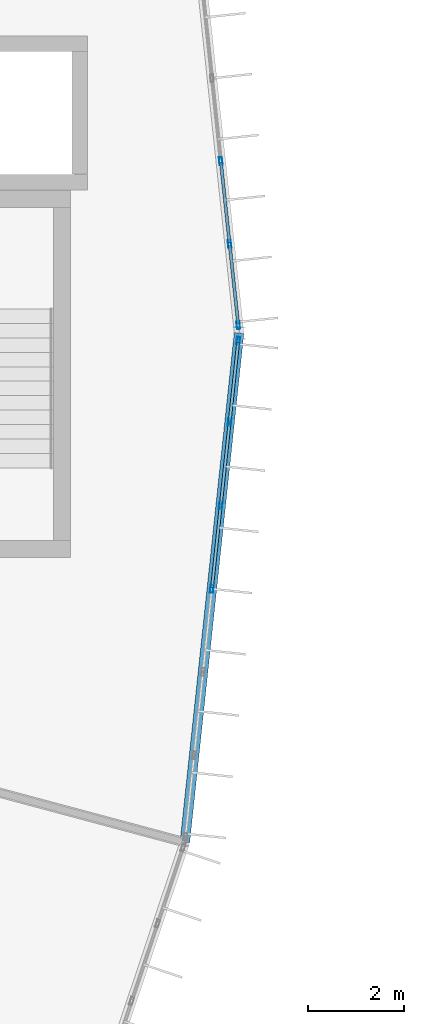
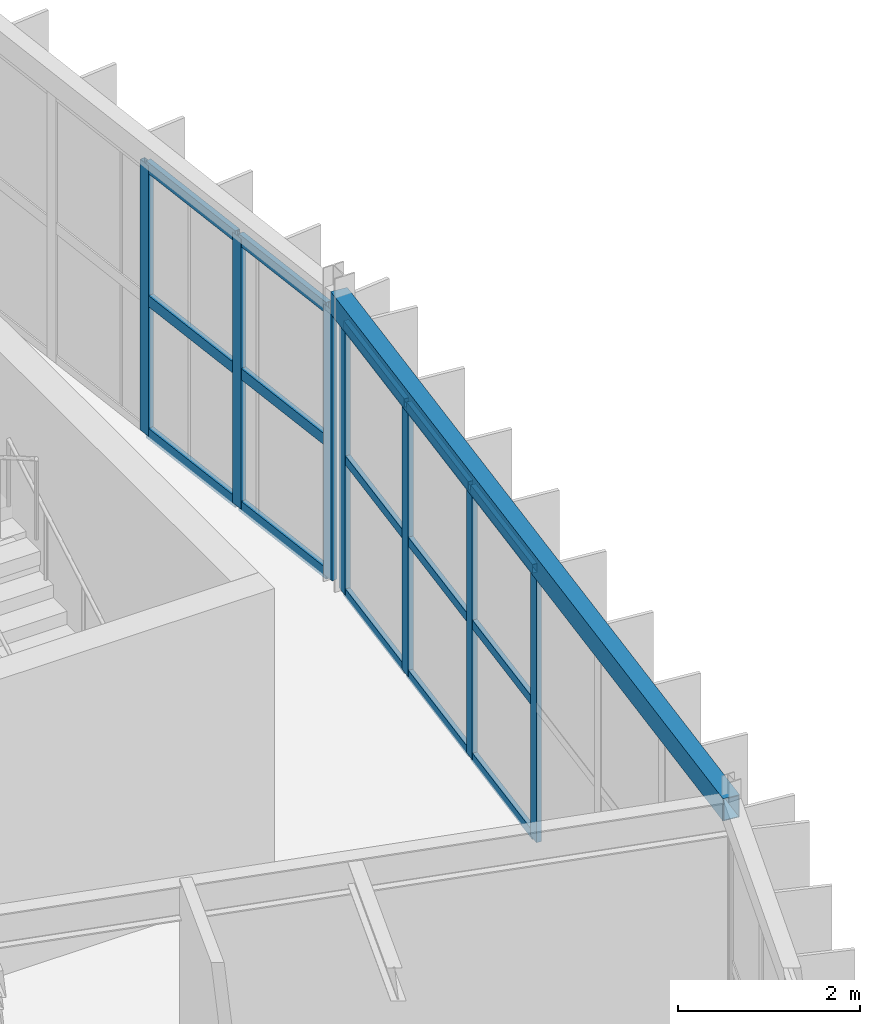
# One storey, part 75 of 157: 22 members, 1 beam, 2 elements without a shape of their own.
"""IFC4 building model written with IfcOpenShell, lengths in metres."""

from ifc_helpers import new_model, si_unit, direction, frame, origin, origin_2d, place, context, subcontext, project, spatial, hollow_rectangle, extrude, material, material_profile, profile_set, type_object, element, aggregate, save


model = new_model("IFC4")

# Units and contexts
model_context = context("Model", 3, precision=1e-05, world=origin(), true_north=direction((0.0, 1.0)))
body_context = subcontext(model_context, "Body", "Model", "MODEL_VIEW")
ifc_project = project(units=[si_unit("LENGTHUNIT", "METRE"), si_unit("AREAUNIT", "SQUARE_METRE"), si_unit("VOLUMEUNIT", "CUBIC_METRE"), si_unit("PLANEANGLEUNIT", "RADIAN"), si_unit("MASSUNIT", "GRAM", prefix="KILO")], contexts=[model_context])

# Site, building, storey
site_placement = place(None, origin())
site = spatial("IfcSite", under=ifc_project, at=site_placement, CompositionType="ELEMENT")
building_placement = place(site_placement, origin())
building = spatial("IfcBuilding", under=site, at=building_placement, Name="Karori Crest Natural Sciences Institute", CompositionType="ELEMENT")
storey_placement = place(building_placement, frame((0.0, 0.0, 13.300048828125)))
storey = spatial("IfcBuildingStorey", under=building, at=storey_placement, Name="L03", CompositionType="ELEMENT", Elevation=13.300048828125)

# Beam
ifc_material_1 = material(Name="Hollow structural steel AS/NZS 1163 Grade C350", Category="steel")
ifc_material_profile_1 = material_profile(ifc_material_1, hollow_rectangle(XDim=0.199951171875, YDim=0.300048828125, WallThickness=0.010009765625, at=origin_2d()), Name="RHS300x200x10")
ifc_profile_set_1 = profile_set([ifc_material_profile_1], Name="Hollow structural steel AS/NZS 1163 Grade C350")
beam_type = type_object("IfcBeamType", Name="BT-15", PredefinedType="SPANDREL", material=ifc_profile_set_1)
beam_placement = place(storey_placement, frame((98.275634765625, 39.340087890625, 3.7900390625), z_axis=(0.105868278464, 0.994380162521, 0.0), x_axis=(-0.994380162521, 0.105868278464, 0.0)))
element("IfcBeam", 1, at=beam_placement, inside=storey, type_object=beam_type, Name="Beam B-0448", PredefinedType="SPANDREL", context=body_context, shape_type="SweptSolid", body=[
    extrude(hollow_rectangle(XDim=0.199951171875, YDim=0.300048828125, WallThickness=0.010009765625, at=origin_2d()), origin(), (0.0, 0.0, 1.0), 10.619384765625),
])

# Curtain wall, members
ifc_material_2 = material(Name="Anodised architectural aluminium 6063-T6", Category="aluminium")
curtain_wall_type_1 = type_object("IfcCurtainWallType", Name="CWT-01", PredefinedType="NOTDEFINED", material=ifc_material_2)
curtain_wall_1_placement = place(storey_placement, origin())
curtain_wall_1 = element("IfcCurtainWall", 2, at=curtain_wall_1_placement, inside=storey, type_object=curtain_wall_type_1, Name="Curtain wall CW-0100", PredefinedType="NOTDEFINED")
ifc_material_profile_2 = material_profile(ifc_material_2, hollow_rectangle(XDim=0.06494140625, YDim=0.159912109375, WallThickness=0.00390625, at=origin_2d()), Name="CWM160x65x4")
ifc_profile_set_2 = profile_set([ifc_material_profile_2], Name="Anodised architectural aluminium 6063-T6")
member_type_1 = type_object("IfcMemberType", Name="CWM-01", PredefinedType="MULLION", material=ifc_profile_set_2)
member_1_placement = place(storey_placement, frame((99.0205078125, 53.463623046875, 0.0), z_axis=(0.0, 0.0, 1.0), x_axis=(0.994378435661, 0.105884496939, 0.0)))
member_1 = element("IfcMember", 3, at=member_1_placement, type_object=member_type_1, Name="CW-0100 mullion 5", PredefinedType="MULLION", context=body_context, shape_type="SweptSolid", body=[
    extrude(hollow_rectangle(XDim=0.06494140625, YDim=0.159912109375, WallThickness=0.00390625, at=origin_2d()), origin(), (0.0, 0.0, 1.0), 3.625),
])
member_2_placement = place(storey_placement, frame((99.203369140625, 51.745849609375, 0.0), z_axis=(0.0, 0.0, 1.0), x_axis=(0.994378435661, 0.105884496939, 0.0)))
member_2 = element("IfcMember", 4, at=member_2_placement, type_object=member_type_1, Name="CW-0100 mullion 6", PredefinedType="MULLION", context=body_context, shape_type="SweptSolid", body=[
    extrude(hollow_rectangle(XDim=0.06494140625, YDim=0.159912109375, WallThickness=0.00390625, at=origin_2d()), origin(), (0.0, 0.0, 1.0), 3.625),
])
member_3_placement = place(storey_placement, frame((99.383056640625, 50.060302734375, 0.0), z_axis=(0.0, 0.0, 1.0), x_axis=(0.994378435661, 0.105884496939, 0.0)))
member_3 = element("IfcMember", 5, at=member_3_placement, type_object=member_type_1, Name="CW-0100 mullion 7", PredefinedType="MULLION", context=body_context, shape_type="SweptSolid", body=[
    extrude(hollow_rectangle(XDim=0.06494140625, YDim=0.159912109375, WallThickness=0.00390625, at=origin_2d()), origin(), (0.0, 0.0, 1.0), 3.625),
])

curtain_wall_type_2 = type_object("IfcCurtainWallType", Name="CWT-04", PredefinedType="NOTDEFINED", material=ifc_material_2)
curtain_wall_2_placement = place(storey_placement, origin())
curtain_wall_2 = element("IfcCurtainWall", 6, at=curtain_wall_2_placement, inside=storey, type_object=curtain_wall_type_2, Name="Curtain wall CW-0135", PredefinedType="NOTDEFINED")
member_4_placement = place(storey_placement, frame((99.383056640625, 49.73974609375, 0.0), z_axis=(0.0, 0.0, 1.0), x_axis=(0.994378309998, -0.105885677057, 0.0)))
member_4 = element("IfcMember", 7, at=member_4_placement, type_object=member_type_1, Name="CW-0135 mullion 1", PredefinedType="MULLION", context=body_context, shape_type="SweptSolid", body=[
    extrude(hollow_rectangle(XDim=0.06494140625, YDim=0.159912109375, WallThickness=0.00390625, at=origin_2d()), origin(), (0.0, 0.0, 1.0), 3.625),
])
member_5_placement = place(storey_placement, frame((99.20263671875, 48.046630859375, 0.0), z_axis=(0.0, 0.0, 1.0), x_axis=(0.994378309998, -0.105885677057, 0.0)))
member_5 = element("IfcMember", 8, at=member_5_placement, type_object=member_type_1, Name="CW-0135 mullion 2", PredefinedType="MULLION", context=body_context, shape_type="SweptSolid", body=[
    extrude(hollow_rectangle(XDim=0.06494140625, YDim=0.159912109375, WallThickness=0.00390625, at=origin_2d()), origin(), (0.0, 0.0, 1.0), 3.625),
])
member_6_placement = place(storey_placement, frame((99.01904296875, 46.321044921875, 0.0), z_axis=(0.0, 0.0, 1.0), x_axis=(0.994378309998, -0.105885677057, 0.0)))
member_6 = element("IfcMember", 9, at=member_6_placement, type_object=member_type_1, Name="CW-0135 mullion 3", PredefinedType="MULLION", context=body_context, shape_type="SweptSolid", body=[
    extrude(hollow_rectangle(XDim=0.06494140625, YDim=0.159912109375, WallThickness=0.00390625, at=origin_2d()), origin(), (0.0, 0.0, 1.0), 3.625),
])
member_7_placement = place(storey_placement, frame((98.835205078125, 44.595703125, 0.0), z_axis=(0.0, 0.0, 1.0), x_axis=(0.994378309998, -0.105885677057, 0.0)))
member_7 = element("IfcMember", 10, at=member_7_placement, type_object=member_type_1, Name="CW-0135 mullion 4", PredefinedType="MULLION", context=body_context, shape_type="SweptSolid", body=[
    extrude(hollow_rectangle(XDim=0.06494140625, YDim=0.159912109375, WallThickness=0.00390625, at=origin_2d()), origin(), (0.0, 0.0, 1.0), 3.625),
])
ifc_material_profile_3 = material_profile(ifc_material_2, hollow_rectangle(XDim=0.06005859375, YDim=0.1201171875, WallThickness=0.00390625, at=origin_2d()), Name="CWT120x60x4")
ifc_profile_set_3 = profile_set([ifc_material_profile_3], Name="Anodised architectural aluminium 6063-T6")
member_type_2 = type_object("IfcMemberType", Name="CWT-TR1", PredefinedType="USERDEFINED", material=ifc_profile_set_3)
member_8_placement = place(storey_placement, frame((99.379638671875, 49.707275390625, 0.030029296875), z_axis=(-0.105996192923, -0.994366535582, 0.0), x_axis=(0.994366535582, -0.105996192923, 0.0)))
member_8 = element("IfcMember", 11, at=member_8_placement, type_object=member_type_2, Name="CW-0135 transom 1.1", ObjectType="TRANSOM", PredefinedType="USERDEFINED", context=body_context, shape_type="SweptSolid", body=[
    extrude(hollow_rectangle(XDim=0.06005859375, YDim=0.1201171875, WallThickness=0.00390625, at=origin_2d()), origin(), (0.0, 0.0, 1.0), 1.6376953125),
])
member_9_placement = place(storey_placement, frame((99.379638671875, 49.707275390625, 1.8125), z_axis=(-0.105996192923, -0.994366535582, 0.0), x_axis=(0.994366535582, -0.105996192923, 0.0)))
member_9 = element("IfcMember", 12, at=member_9_placement, type_object=member_type_2, Name="CW-0135 transom 1.2", ObjectType="TRANSOM", PredefinedType="USERDEFINED", context=body_context, shape_type="SweptSolid", body=[
    extrude(hollow_rectangle(XDim=0.06005859375, YDim=0.1201171875, WallThickness=0.00390625, at=origin_2d()), origin(), (0.0, 0.0, 1.0), 1.6376953125),
])
member_10_placement = place(storey_placement, frame((99.379638671875, 49.707275390625, 3.594970703125), z_axis=(-0.105996192923, -0.994366535582, 0.0), x_axis=(0.994366535582, -0.105996192923, 0.0)))
member_10 = element("IfcMember", 13, at=member_10_placement, type_object=member_type_2, Name="CW-0135 transom 1.3", ObjectType="TRANSOM", PredefinedType="USERDEFINED", context=body_context, shape_type="SweptSolid", body=[
    extrude(hollow_rectangle(XDim=0.06005859375, YDim=0.1201171875, WallThickness=0.00390625, at=origin_2d()), origin(), (0.0, 0.0, 1.0), 1.6376953125),
])
member_11_placement = place(storey_placement, frame((99.19921875, 48.01416015625, 0.030029296875), z_axis=(-0.105841415473, -0.994383022165, 0.0), x_axis=(0.994383022165, -0.105841415473, 0.0)))
member_11 = element("IfcMember", 14, at=member_11_placement, type_object=member_type_2, Name="CW-0135 transom 2.1", ObjectType="TRANSOM", PredefinedType="USERDEFINED", context=body_context, shape_type="SweptSolid", body=[
    extrude(hollow_rectangle(XDim=0.06005859375, YDim=0.1201171875, WallThickness=0.00390625, at=origin_2d()), origin(), (0.0, 0.0, 1.0), 1.669921875),
])
member_12_placement = place(storey_placement, frame((99.19921875, 48.01416015625, 1.8125), z_axis=(-0.105841415473, -0.994383022165, 0.0), x_axis=(0.994383022165, -0.105841415473, 0.0)))
member_12 = element("IfcMember", 15, at=member_12_placement, type_object=member_type_2, Name="CW-0135 transom 2.2", ObjectType="TRANSOM", PredefinedType="USERDEFINED", context=body_context, shape_type="SweptSolid", body=[
    extrude(hollow_rectangle(XDim=0.06005859375, YDim=0.1201171875, WallThickness=0.00390625, at=origin_2d()), origin(), (0.0, 0.0, 1.0), 1.669921875),
])
member_13_placement = place(storey_placement, frame((99.19921875, 48.01416015625, 3.594970703125), z_axis=(-0.105841415473, -0.994383022165, 0.0), x_axis=(0.994383022165, -0.105841415473, 0.0)))
member_13 = element("IfcMember", 16, at=member_13_placement, type_object=member_type_2, Name="CW-0135 transom 2.3", ObjectType="TRANSOM", PredefinedType="USERDEFINED", context=body_context, shape_type="SweptSolid", body=[
    extrude(hollow_rectangle(XDim=0.06005859375, YDim=0.1201171875, WallThickness=0.00390625, at=origin_2d()), origin(), (0.0, 0.0, 1.0), 1.669921875),
])
member_14_placement = place(storey_placement, frame((99.015380859375, 46.288818359375, 0.030029296875), z_axis=(-0.105826031672, -0.994384659486, 0.0), x_axis=(0.994384659486, -0.105826031672, 0.0)))
member_14 = element("IfcMember", 17, at=member_14_placement, type_object=member_type_2, Name="CW-0135 transom 3.1", ObjectType="TRANSOM", PredefinedType="USERDEFINED", context=body_context, shape_type="SweptSolid", body=[
    extrude(hollow_rectangle(XDim=0.06005859375, YDim=0.1201171875, WallThickness=0.00390625, at=origin_2d()), origin(), (0.0, 0.0, 1.0), 1.670166015625),
])
member_15_placement = place(storey_placement, frame((99.015380859375, 46.288818359375, 1.8125), z_axis=(-0.105826031672, -0.994384659486, 0.0), x_axis=(0.994384659486, -0.105826031672, 0.0)))
member_15 = element("IfcMember", 18, at=member_15_placement, type_object=member_type_2, Name="CW-0135 transom 3.2", ObjectType="TRANSOM", PredefinedType="USERDEFINED", context=body_context, shape_type="SweptSolid", body=[
    extrude(hollow_rectangle(XDim=0.06005859375, YDim=0.1201171875, WallThickness=0.00390625, at=origin_2d()), origin(), (0.0, 0.0, 1.0), 1.670166015625),
])
member_16_placement = place(storey_placement, frame((99.015380859375, 46.288818359375, 3.594970703125), z_axis=(-0.105826031672, -0.994384659486, 0.0), x_axis=(0.994384659486, -0.105826031672, 0.0)))
member_16 = element("IfcMember", 19, at=member_16_placement, type_object=member_type_2, Name="CW-0135 transom 3.3", ObjectType="TRANSOM", PredefinedType="USERDEFINED", context=body_context, shape_type="SweptSolid", body=[
    extrude(hollow_rectangle(XDim=0.06005859375, YDim=0.1201171875, WallThickness=0.00390625, at=origin_2d()), origin(), (0.0, 0.0, 1.0), 1.670166015625),
])
aggregate(curtain_wall_2, [member_4, member_5, member_6, member_7, member_8, member_9, member_10, member_11, member_12, member_13, member_14, member_15, member_16])

# Member
ifc_material_profile_4 = material_profile(ifc_material_2, hollow_rectangle(XDim=0.06494140625, YDim=0.14990234375, WallThickness=0.00390625, at=origin_2d()), Name="CWT150x65x4")
ifc_profile_set_4 = profile_set([ifc_material_profile_4], Name="Anodised architectural aluminium 6063-T6")
member_type_3 = type_object("IfcMemberType", Name="CWT-TR2", PredefinedType="USERDEFINED", material=ifc_profile_set_4)
member_17_placement = place(storey_placement, frame((99.02392578125, 53.431396484375, 0.032470703125), z_axis=(0.105869463411, -0.994380036363, 0.0), x_axis=(0.994380036363, 0.105869463411, 0.0)))
member_17 = element("IfcMember", 20, at=member_17_placement, type_object=member_type_3, Name="CW-0100 transom 5.1", ObjectType="TRANSOM", PredefinedType="USERDEFINED", context=body_context, shape_type="SweptSolid", body=[
    extrude(hollow_rectangle(XDim=0.06494140625, YDim=0.14990234375, WallThickness=0.00390625, at=origin_2d()), origin(), (0.0, 0.0, 1.0), 1.66259765625),
])

member_18_placement = place(storey_placement, frame((99.02392578125, 53.431396484375, 1.8125), z_axis=(0.105869463411, -0.994380036363, 0.0), x_axis=(0.994380036363, 0.105869463411, 0.0)))
member_18 = element("IfcMember", 21, at=member_18_placement, type_object=member_type_3, Name="CW-0100 transom 5.2", ObjectType="TRANSOM", PredefinedType="USERDEFINED", context=body_context, shape_type="SweptSolid", body=[
    extrude(hollow_rectangle(XDim=0.06494140625, YDim=0.14990234375, WallThickness=0.00390625, at=origin_2d()), origin(), (0.0, 0.0, 1.0), 1.66259765625),
])

member_19_placement = place(storey_placement, frame((99.02392578125, 53.431396484375, 3.592529296875), z_axis=(0.105869463411, -0.994380036363, 0.0), x_axis=(0.994380036363, 0.105869463411, 0.0)))
member_19 = element("IfcMember", 22, at=member_19_placement, type_object=member_type_3, Name="CW-0100 transom 5.3", ObjectType="TRANSOM", PredefinedType="USERDEFINED", context=body_context, shape_type="SweptSolid", body=[
    extrude(hollow_rectangle(XDim=0.06494140625, YDim=0.14990234375, WallThickness=0.00390625, at=origin_2d()), origin(), (0.0, 0.0, 1.0), 1.66259765625),
])

member_20_placement = place(storey_placement, frame((99.20703125, 51.71337890625, 0.032470703125), z_axis=(0.105893191658, -0.994377509782, 0.0), x_axis=(0.994377509782, 0.105893191658, 0.0)))
member_20 = element("IfcMember", 23, at=member_20_placement, type_object=member_type_3, Name="CW-0100 transom 6.1", ObjectType="TRANSOM", PredefinedType="USERDEFINED", context=body_context, shape_type="SweptSolid", body=[
    extrude(hollow_rectangle(XDim=0.06494140625, YDim=0.14990234375, WallThickness=0.00390625, at=origin_2d()), origin(), (0.0, 0.0, 1.0), 1.630126953125),
])

member_21_placement = place(storey_placement, frame((99.20703125, 51.71337890625, 1.8125), z_axis=(0.105893191658, -0.994377509782, 0.0), x_axis=(0.994377509782, 0.105893191658, 0.0)))
member_21 = element("IfcMember", 24, at=member_21_placement, type_object=member_type_3, Name="CW-0100 transom 6.2", ObjectType="TRANSOM", PredefinedType="USERDEFINED", context=body_context, shape_type="SweptSolid", body=[
    extrude(hollow_rectangle(XDim=0.06494140625, YDim=0.14990234375, WallThickness=0.00390625, at=origin_2d()), origin(), (0.0, 0.0, 1.0), 1.630126953125),
])

member_22_placement = place(storey_placement, frame((99.20703125, 51.71337890625, 3.592529296875), z_axis=(0.105893191658, -0.994377509782, 0.0), x_axis=(0.994377509782, 0.105893191658, 0.0)))
member_22 = element("IfcMember", 25, at=member_22_placement, type_object=member_type_3, Name="CW-0100 transom 6.3", ObjectType="TRANSOM", PredefinedType="USERDEFINED", context=body_context, shape_type="SweptSolid", body=[
    extrude(hollow_rectangle(XDim=0.06494140625, YDim=0.14990234375, WallThickness=0.00390625, at=origin_2d()), origin(), (0.0, 0.0, 1.0), 1.630126953125),
])

aggregate(curtain_wall_1, [member_1, member_2, member_3, member_17, member_18, member_19, member_20, member_21, member_22])

save(model, "model.ifc")
